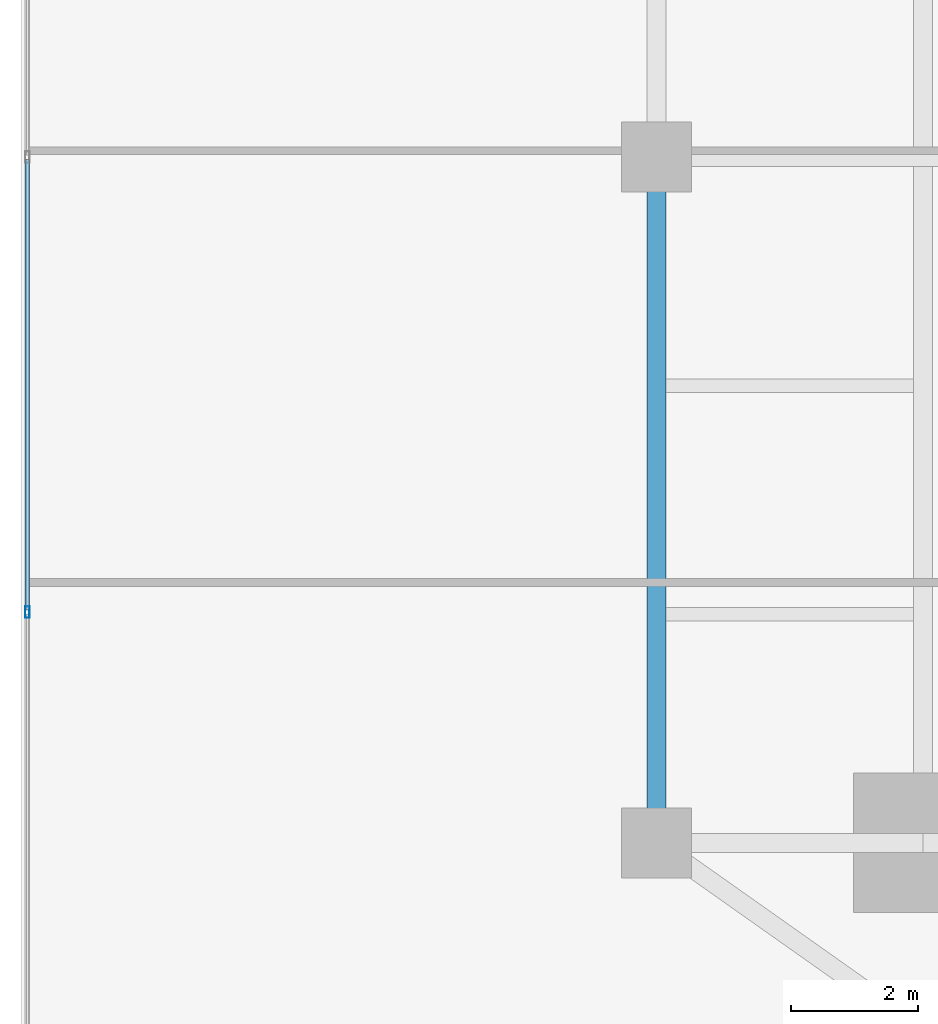
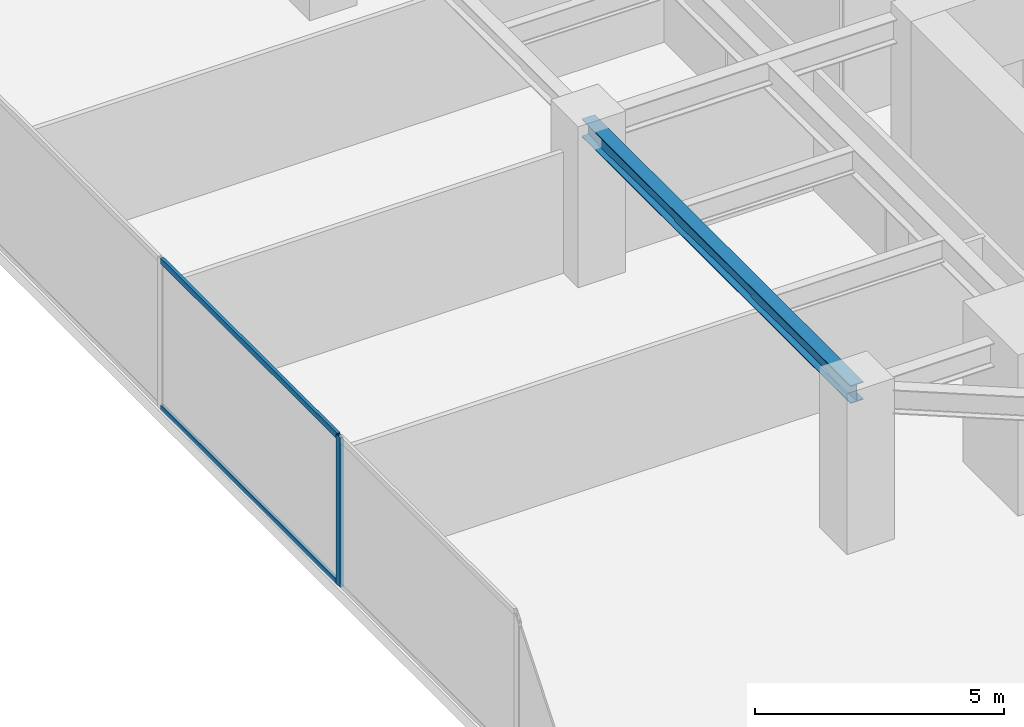
# One storey, part 7 of 28: 3 members, 1 beam, 1 element without a shape of its own.
"""IFC4 building model written with IfcOpenShell, lengths in metres."""

from ifc_helpers import new_model, si_unit, direction, frame, origin, origin_2d, place, context, subcontext, project, spatial, hollow_rectangle, i_section, extrude, source, transform, mapped, material, material_profile, profile_set, type_object, type_shapes, element, aggregate, save


model = new_model("IFC4")

# Units and contexts
model_context = context("Model", 3, precision=1e-05, world=origin(), true_north=direction((0.0, 1.0)))
body_context = subcontext(model_context, "Body", "Model", "MODEL_VIEW")
ifc_project = project(units=[si_unit("LENGTHUNIT", "METRE"), si_unit("AREAUNIT", "SQUARE_METRE"), si_unit("VOLUMEUNIT", "CUBIC_METRE"), si_unit("PLANEANGLEUNIT", "RADIAN"), si_unit("MASSUNIT", "GRAM", prefix="KILO")], contexts=[model_context])

# Site, building, storey
site_placement = place(None, origin())
site = spatial("IfcSite", under=ifc_project, at=site_placement, CompositionType="ELEMENT")
building_placement = place(site_placement, origin())
building = spatial("IfcBuilding", under=site, at=building_placement, Name="Krantzveldt Concourse Tower", CompositionType="ELEMENT")
storey_placement = place(building_placement, frame((0.0, 0.0, 28.949951171875)))
storey = spatial("IfcBuildingStorey", under=building, at=storey_placement, Name="L06", CompositionType="ELEMENT", Elevation=28.949951171875)

# Beam
ifc_material_1 = material(Name="Steel S355JR", Category="steel")
ifc_material_profile_1 = material_profile(ifc_material_1, i_section(OverallWidth=0.300048828125, OverallDepth=0.43994140625, WebThickness=0.011474609375, FlangeThickness=0.02099609375, FilletRadius=0.027099609375, at=origin_2d()), Name="Steel S355JR", Category="steel")
ifc_profile_set_1 = profile_set([ifc_material_profile_1], Name="Steel S355JR - HEA 450")
beam_type = type_object("IfcBeamType", Name="BM-SP-HEA450", PredefinedType="SPANDREL", material=ifc_profile_set_1)
shared_shape_1 = source(origin(), body_context, "Body", "SweptSolid", [
    extrude(i_section(OverallWidth=0.300048828125, OverallDepth=0.43994140625, WebThickness=0.011474609375, FlangeThickness=0.02099609375, FilletRadius=0.027099609375, at=origin_2d()), origin(), (0.0, 0.0, 1.0), 10.800048828125),
])
type_shapes(beam_type, [shared_shape_1])
beam_placement = place(storey_placement, frame((21.0, 15.89990234375, 3.449951171875), z_axis=(0.0, 1.0, 0.0), x_axis=(-1.0, 0.0, 0.0)))
element("IfcBeam", 1, at=beam_placement, inside=storey, type_object=beam_type, Name="L06 Tower Girder SP-R01", PredefinedType="SPANDREL", context=body_context, shape_type="MappedRepresentation", body=[
    mapped(shared_shape_1, transform((0.0, 0.0, 0.0), x_axis=(1.0, 0.0, 0.0), y_axis=(0.0, 1.0, 0.0), z_axis=(0.0, 0.0, 1.0), scale=1.0)),
])

# Curtain wall, members
ifc_material_2 = material(Name="Anodised aluminium 6063-T6", Category="aluminium")
curtain_wall_type = type_object("IfcCurtainWallType", Name="CW2", PredefinedType="USERDEFINED", material=ifc_material_2)
curtain_wall_placement = place(storey_placement, origin())
curtain_wall = element("IfcCurtainWall", 2, at=curtain_wall_placement, inside=storey, type_object=curtain_wall_type, Name="CW-L06-F01", ObjectType="UNITISED CURTAIN WALL", PredefinedType="USERDEFINED")
ifc_material_profile_2 = material_profile(ifc_material_2, hollow_rectangle(XDim=0.070068359375, YDim=0.139892578125, WallThickness=0.0048828125, at=origin_2d()), Name="Anodised aluminium 6063-T6", Category="aluminium")
ifc_profile_set_2 = profile_set([ifc_material_profile_2], Name="Anodised aluminium 6063-T6 - ALU-TRAN 140x70x5")
member_type_1 = type_object("IfcMemberType", Name="CW-TRN-150", PredefinedType="USERDEFINED", material=ifc_profile_set_2)
shared_shape_2 = source(origin(), body_context, "Body", "SweptSolid", [
    extrude(hollow_rectangle(XDim=0.070068359375, YDim=0.139892578125, WallThickness=0.0048828125, at=origin_2d()), origin(), (0.0, 0.0, 1.0), 7.0966796875),
])
type_shapes(member_type_1, [shared_shape_2])
member_1_placement = place(storey_placement, frame((11.090087890625, 26.6650390625, 0.03515625), z_axis=(0.0, -1.0, 0.0), x_axis=(1.0, 0.0, 0.0)))
member_1 = element("IfcMember", 3, at=member_1_placement, type_object=member_type_1, Name="CW-Z12 transom 4.1", ObjectType="TRANSOM", PredefinedType="USERDEFINED", context=body_context, shape_type="MappedRepresentation", body=[
    mapped(shared_shape_2, transform((0.0, 0.0, 0.0), x_axis=(1.0, 0.0, 0.0), y_axis=(0.0, 1.0, 0.0), z_axis=(0.0, 0.0, 1.0), scale=1.0)),
])
member_2_placement = place(storey_placement, frame((11.090087890625, 26.6650390625, 3.635009765625), z_axis=(0.0, -1.0, 0.0), x_axis=(1.0, 0.0, 0.0)))
member_2 = element("IfcMember", 4, at=member_2_placement, type_object=member_type_1, Name="CW-Z12 transom 4.2", ObjectType="TRANSOM", PredefinedType="USERDEFINED", context=body_context, shape_type="MappedRepresentation", body=[
    mapped(shared_shape_2, transform((0.0, 0.0, 0.0), x_axis=(1.0, 0.0, 0.0), y_axis=(0.0, 1.0, 0.0), z_axis=(0.0, 0.0, 1.0), scale=1.0)),
])
ifc_material_profile_3 = material_profile(ifc_material_2, hollow_rectangle(XDim=0.070068359375, YDim=0.179931640625, WallThickness=0.0048828125, at=origin_2d()), Name="Anodised aluminium 6063-T6", Category="aluminium")
ifc_profile_set_3 = profile_set([ifc_material_profile_3], Name="Anodised aluminium 6063-T6 - ALU-MULL 180x70x5")
member_type_2 = type_object("IfcMemberType", Name="CW-MUL-180", PredefinedType="MULLION", material=ifc_profile_set_3)
shared_shape_3 = source(origin(), body_context, "Body", "SweptSolid", [
    extrude(hollow_rectangle(XDim=0.070068359375, YDim=0.179931640625, WallThickness=0.0048828125, at=origin_2d()), origin(), (0.0, 0.0, 1.0), 3.670166015625),
])
type_shapes(member_type_2, [shared_shape_3])
member_3_placement = place(storey_placement, frame((11.090087890625, 19.533447265625, 0.0), z_axis=(0.0, 0.0, 1.0), x_axis=(1.0, 0.0, 0.0)))
member_3 = element("IfcMember", 5, at=member_3_placement, type_object=member_type_2, Name="CW-Z12 mullion 5", PredefinedType="MULLION", context=body_context, shape_type="MappedRepresentation", body=[
    mapped(shared_shape_3, transform((0.0, 0.0, 0.0), x_axis=(1.0, 0.0, 0.0), y_axis=(0.0, 1.0, 0.0), z_axis=(0.0, 0.0, 1.0), scale=1.0)),
])
aggregate(curtain_wall, [member_3, member_1, member_2])

save(model, "model.ifc")
